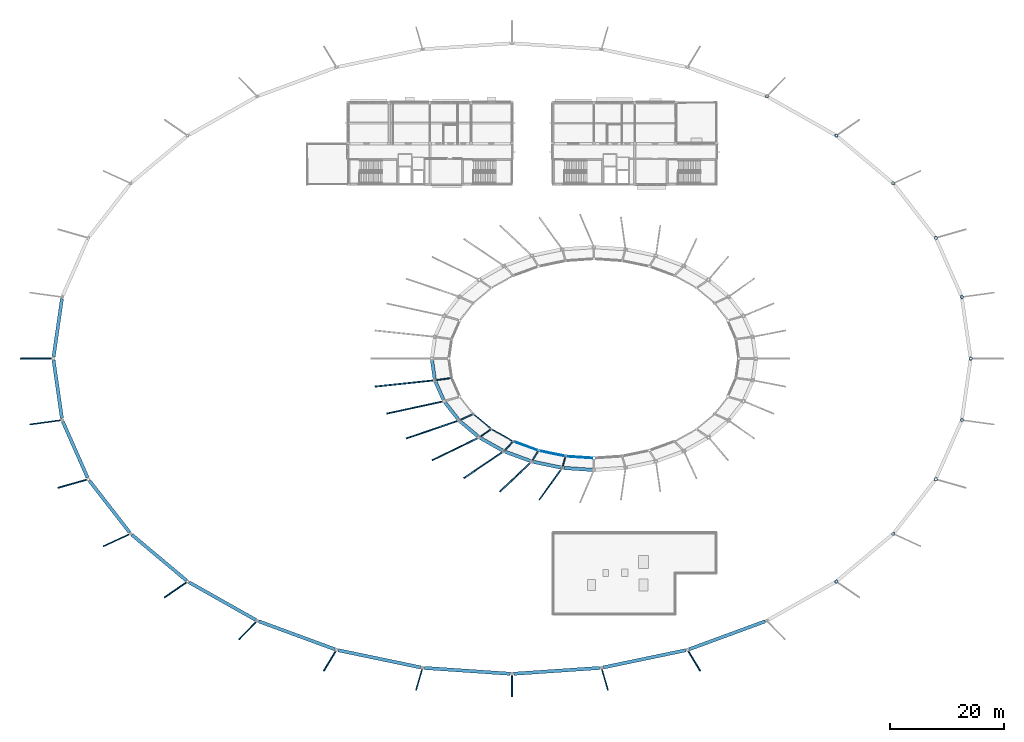
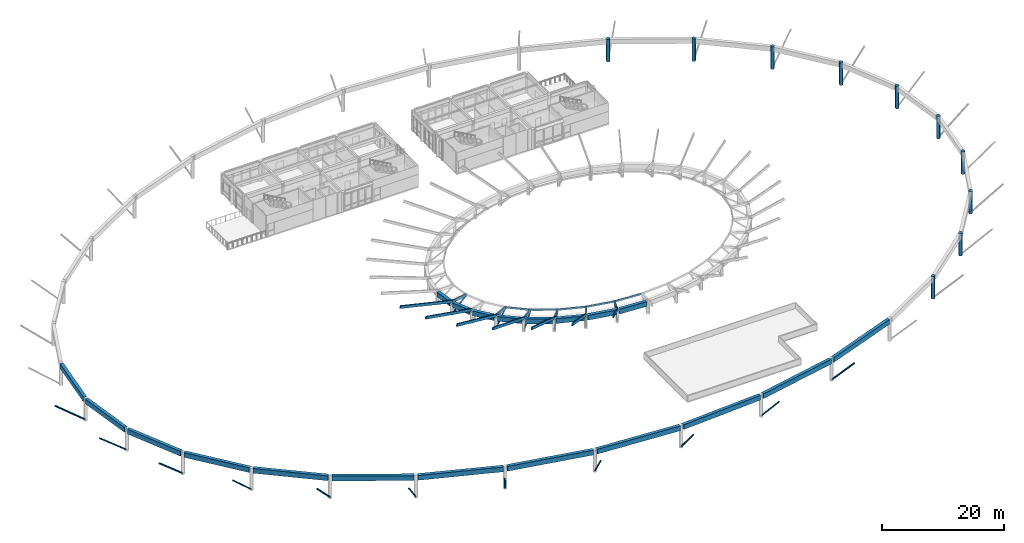
# One storey, part 2 of 37: 35 members, 20 beams, 10 columns.
"""IFC4 building model written with IfcOpenShell, lengths in metres."""

import ifcopenshell
import ifcopenshell.guid

model = None  # the IFC model being written
_history = None  # IfcOwnerHistory: only IFC2X3 demands one
_inside = {}  # id of a spatial element -> (the spatial element, [elements in it])
_under = {}  # id of a project, library or spatial element -> (it, [spatial elements below it])
_declared = {}  # id of a project -> (the project, [libraries it declares])
_typed = {}  # id of a type object -> (the type object, [elements of that type])
_made_of = {}  # id of a material, layer set ... -> (it, [elements and type objects made of it])


def new_model(schema):
    """Start an empty IFC model of exactly this schema.

    Asked for "IFC4X3", IfcOpenShell would pick the latest addendum, in which some entities
    have other attributes; the version numbers below select the first issue.
    IFC2X3 requires an IfcOwnerHistory on every rooted entity: one is made here for all.
    """
    global model, _history
    if schema == "IFC4X3":
        model = ifcopenshell.file(schema_version=(4, 3, 0, 0))
    else:
        model = ifcopenshell.file(schema=schema)
    _inside.clear()
    _under.clear()
    _declared.clear()
    _typed.clear()
    _made_of.clear()
    _history = None
    if model.schema == "IFC2X3":
        org = make("IfcOrganization", Name="unknown")
        user = make(
            "IfcPersonAndOrganization",
            ThePerson=make("IfcPerson", FamilyName="unknown"),
            TheOrganization=org,
        )
        app = make(
            "IfcApplication",
            ApplicationDeveloper=org,
            Version="unknown",
            ApplicationFullName="unknown",
            ApplicationIdentifier="unknown",
        )
        _history = make(
            "IfcOwnerHistory",
            OwningUser=user,
            OwningApplication=app,
            ChangeAction="ADDED",
            CreationDate=0,
        )
    return model


def make(cls, **values):
    """One entity of the class cls with the attributes given. An attribute that is None is left unset."""
    return model.create_entity(
        cls, **{name: value for name, value in values.items() if value is not None}
    )


def rooted(cls, **values):
    """An entity with a GlobalId (a new one), such as an element, a storey or a relation."""
    return make(cls, GlobalId=ifcopenshell.guid.new(), OwnerHistory=_history, **values)


def si_unit(unit_type, name, prefix=None):
    """IfcSIUnit, for example si_unit("LENGTHUNIT", "METRE", prefix="MILLI")."""
    return make("IfcSIUnit", UnitType=unit_type, Prefix=prefix, Name=name)


def assignment(units):
    """IfcUnitAssignment: the units of a project."""
    return None if units is None else make("IfcUnitAssignment", Units=units)


def point(xyz):
    """IfcCartesianPoint."""
    return None if xyz is None else make("IfcCartesianPoint", Coordinates=xyz)


def direction(xyz):
    """IfcDirection."""
    return None if xyz is None else make("IfcDirection", DirectionRatios=xyz)


def frame(location, z_axis=None, x_axis=None):
    """IfcAxis2Placement3D, a coordinate frame: its origin and axes. An axis left out is left unset."""
    return make(
        "IfcAxis2Placement3D",
        Location=point(location),
        Axis=direction(z_axis),
        RefDirection=direction(x_axis),
    )


def frame_2d(location, x_axis=None):
    """IfcAxis2Placement2D, a coordinate frame in the plane: its origin and x axis."""
    return make(
        "IfcAxis2Placement2D", Location=point(location), RefDirection=direction(x_axis)
    )


def origin():
    """The frame at (0, 0, 0) with its axes left unset."""
    return frame((0.0, 0.0, 0.0))


def origin_2d():
    """The frame at (0, 0) in the plane with its x axis left unset."""
    return frame_2d((0.0, 0.0))


def place(relative_to, where):
    """IfcLocalPlacement: puts the frame where relative to a parent placement (None: the world)."""
    return make(
        "IfcLocalPlacement", PlacementRelTo=relative_to, RelativePlacement=where
    )


def context(
    kind, dimensions, precision=None, world=None, true_north=None, identifier=None
):
    """IfcGeometricRepresentationContext, for example the 3D "Model" context."""
    return make(
        "IfcGeometricRepresentationContext",
        ContextIdentifier=identifier,
        ContextType=kind,
        CoordinateSpaceDimension=dimensions,
        Precision=precision,
        WorldCoordinateSystem=world,
        TrueNorth=true_north,
    )


def subcontext(parent, identifier, kind, view, scale=None):
    """IfcGeometricRepresentationSubContext, for example "Body" below "Model"."""
    return make(
        "IfcGeometricRepresentationSubContext",
        ContextIdentifier=identifier,
        ContextType=kind,
        ParentContext=parent,
        TargetScale=scale,
        TargetView=view,
    )


def project(units=None, contexts=None):
    """IfcProject with its units and contexts."""
    return rooted(
        "IfcProject",
        Name="project",
        RepresentationContexts=contexts,
        UnitsInContext=assignment(units),
    )


def spatial(cls, under=None, at=None, **own):
    """A site, building, storey or space (cls), placed at a placement, below another one or the project."""
    s = rooted(cls, ObjectPlacement=at, **own)
    if under is not None:
        _under.setdefault(under.id(), (under, []))[1].append(s)
    return s


def profile(cls, at=None, kind="AREA", **sizes):
    """A parametric profile (cls). Its sizes go by their IFC names, for example OverallWidth=200.0."""
    return make(cls, ProfileType=kind, Position=at, **sizes)


def rectangle(**sizes):
    """IfcRectangleProfileDef."""
    return profile("IfcRectangleProfileDef", **sizes)


def circle(**sizes):
    """IfcCircleProfileDef."""
    return profile("IfcCircleProfileDef", **sizes)


def hollow_circle(**sizes):
    """IfcCircleHollowProfileDef."""
    return profile("IfcCircleHollowProfileDef", **sizes)


def extrude(swept, where, along, depth):
    """IfcExtrudedAreaSolid: the profile swept, set in the frame where, extruded along a direction by depth."""
    return make(
        "IfcExtrudedAreaSolid",
        SweptArea=swept,
        Position=where,
        ExtrudedDirection=direction(along),
        Depth=depth,
    )


def shape(context_of_items, identifier, shape_type, items):
    """IfcShapeRepresentation: the items that make up one representation, for example the "Body"."""
    return make(
        "IfcShapeRepresentation",
        ContextOfItems=context_of_items,
        RepresentationIdentifier=identifier,
        RepresentationType=shape_type,
        Items=items,
    )


def material(Name=None, Category=None):
    """IfcMaterial."""
    return make("IfcMaterial", Name=Name, Category=Category)


def material_profile(
    of_material, cross_section, Name=None, Category=None, Priority=None
):
    """IfcMaterialProfile: a cross section and its material."""
    return make(
        "IfcMaterialProfile",
        Name=Name,
        Material=of_material,
        Profile=cross_section,
        Priority=Priority,
        Category=Category,
    )


def profile_set(profiles, Name=None, composite=None):
    """IfcMaterialProfileSet."""
    return make(
        "IfcMaterialProfileSet",
        Name=Name,
        MaterialProfiles=profiles,
        CompositeProfile=composite,
    )


def made_of(thing, what):
    """Note that an element or type object is made of a material, layer set ...; save() writes the relation."""
    if what is not None:
        _made_of.setdefault(what.id(), (what, []))[1].append(thing)
    return thing


def type_object(cls, material=None, **own):
    """A type object (cls), such as IfcWallType, which elements share."""
    return made_of(rooted(cls, **own), material)


def element(
    cls,
    number,
    at=None,
    inside=None,
    cuts=None,
    type_object=None,
    material=None,
    context=None,
    identifier="Body",
    shape_type=None,
    held_by="IfcProductDefinitionShape",
    body=None,
    shapes=None,
    **own,
):
    """One element of the class cls, such as IfcWall. Its Tag is "e" and its number.

    at: its placement. inside: the storey or other place that contains it. cuts: it is an
    opening in that element (IfcRelVoidsElement). A single representation is given by context,
    identifier, shape_type and body (its items); several are given by shapes. held_by: the class
    of the entity that holds the representations. save() writes the other relations.
    """
    e = rooted(cls, Tag="e%d" % number, ObjectPlacement=at, **own)
    if body is not None:
        shapes = [shape(context, identifier, shape_type, body)]
    if shapes is not None:
        e.Representation = make(held_by, Representations=shapes)
    if inside is not None:
        _inside.setdefault(inside.id(), (inside, []))[1].append(e)
    if cuts is not None:
        rooted(
            "IfcRelVoidsElement", RelatingBuildingElement=cuts, RelatedOpeningElement=e
        )
    if type_object is not None:
        _typed.setdefault(type_object.id(), (type_object, []))[1].append(e)
    return made_of(e, material)


def aggregate(whole, parts):
    """IfcRelAggregates: a whole, such as a stair, and the parts it consists of."""
    return rooted("IfcRelAggregates", RelatingObject=whole, RelatedObjects=parts)


def save(model, path):
    """Write the relations noted so far, then the file.

    IfcRelAggregates (storeys below a building ...), IfcRelContainedInSpatialStructure (elements
    in a storey), IfcRelDefinesByType, IfcRelAssociatesMaterial and IfcRelDeclares: one each for
    every whole, place, type object, material and project.
    """
    for whole, parts in _under.values():
        aggregate(whole, parts)
    for where, things in _inside.values():
        rooted(
            "IfcRelContainedInSpatialStructure",
            RelatedElements=things,
            RelatingStructure=where,
        )
    for kind, things in _typed.values():
        rooted("IfcRelDefinesByType", RelatedObjects=things, RelatingType=kind)
    for what, things in _made_of.values():
        rooted("IfcRelAssociatesMaterial", RelatedObjects=things, RelatingMaterial=what)
    for by, libraries in _declared.values():
        rooted("IfcRelDeclares", RelatingContext=by, RelatedDefinitions=libraries)
    model.write(path)


model = new_model("IFC4")

# Units and contexts
model_context = context("Model", 3, precision=1e-05, world=origin(), true_north=direction((0.0, 1.0)))
body_context = subcontext(model_context, "Body", "Model", "MODEL_VIEW")
ifc_project = project(units=[si_unit("LENGTHUNIT", "METRE"), si_unit("AREAUNIT", "SQUARE_METRE"), si_unit("VOLUMEUNIT", "CUBIC_METRE"), si_unit("PLANEANGLEUNIT", "RADIAN"), si_unit("MASSUNIT", "GRAM", prefix="KILO")], contexts=[model_context])

# Site, building, storey
site_placement = place(None, origin())
site = spatial("IfcSite", under=ifc_project, at=site_placement, CompositionType="ELEMENT")
building_placement = place(site_placement, origin())
building = spatial("IfcBuilding", under=site, at=building_placement, Name="Namkhue Oval Health Centre", CompositionType="ELEMENT")
storey_placement = place(building_placement, frame((0.0, 0.0, 22.199951171875)))
storey = spatial("IfcBuildingStorey", under=building, at=storey_placement, Name="L05", CompositionType="ELEMENT", Elevation=22.199951171875)

# Columns
ifc_material_1 = material(Name="Reinforced concrete C35/45 (TCVN B40)", Category="concrete")
ifc_material_profile_1 = material_profile(ifc_material_1, circle(Radius=0.324951171875, at=origin_2d()), Name="RC D650")
ifc_profile_set_1 = profile_set([ifc_material_profile_1], Name="Reinforced concrete C35/45 (TCVN B40)")
column_type = type_object("IfcColumnType", Name="RC COLUMN D650 EXT", PredefinedType="COLUMN", material=ifc_profile_set_1)
for number, where, z_axis, x_axis, name in (
    (1, (167.0400390625, 59.39990234375, 0.0), (0.0, 0.0, 1.0), (1.0, 0.0, 0.0), "Gridshell OR Colonnade Column 1 L05"),
    (2, (165.490478515625, 70.2158203125, 0.0), (0.0, 0.0, 1.0), (1.0, 0.0, 0.0), "Gridshell OR Colonnade Column 2 L05"),
    (3, (160.901611328125, 80.615966796875, 0.0), (0.0, 0.0, 1.0), (1.0, 0.0, 0.0), "Gridshell OR Colonnade Column 3 L05"),
    (4, (153.44970703125, 90.200927734375, 0.0), (0.0, 0.0, 1.0), (1.0, 0.0, 0.0), "Gridshell OR Colonnade Column 4 L05"),
    (5, (143.421142578125, 98.60205078125, 0.0), (0.0, 0.0, 1.0), (1.0, 0.0, 0.0), "Gridshell OR Colonnade Column 5 L05"),
    (6, (131.201171875, 105.49658203125, 0.0), (0.0, 0.0, 1.0), (1.0, 0.0, 0.0), "Gridshell OR Colonnade Column 6 L05"),
    (7, (143.421142578125, 20.197998046875, 0.0), (0.0, 0.0, 1.0), (1.0, 0.0, 0.0), "Gridshell OR Colonnade Column 29 L05"),
    (8, (153.44970703125, 28.59912109375, 0.0), (0.0, 0.0, 1.0), (1.0, 0.0, 0.0), "Gridshell OR Colonnade Column 30 L05"),
    (9, (160.901611328125, 38.18408203125, 0.0), (0.0, 0.0, 1.0), (1.0, 0.0, 0.0), "Gridshell OR Colonnade Column 31 L05"),
    (10, (165.490478515625, 48.584228515625, 0.0), (0.0, 0.0, 1.0), (1.0, 0.0, 0.0), "Gridshell OR Colonnade Column 32 L05"),
):
    element("IfcColumn", number, at=place(storey_placement, frame(where, z_axis=z_axis, x_axis=x_axis)), inside=storey, type_object=column_type, Name=name, PredefinedType="COLUMN", context=body_context, shape_type="SweptSolid", body=[
        extrude(circle(Radius=0.324951171875, at=origin_2d()), origin(), (0.0, 0.0, 1.0), 4.52001953125),
    ])

# Members
ifc_material_2 = material(Name="Structural steel EN 10025-2 S355JR (TCVN 5575:2024)", Category="steel")
ifc_material_profile_2 = material_profile(ifc_material_2, hollow_circle(Radius=0.136474609375, WallThickness=0.012451171875, at=origin_2d()), Name="CHS 273x12.5")
ifc_profile_set_2 = profile_set([ifc_material_profile_2], Name="Structural steel EN 10025-2 S355JR (TCVN 5575:2024)")
member_type_1 = type_object("IfcMemberType", Name="CANOPY STRUT CHS 273", PredefinedType="STRUT", material=ifc_profile_set_2)
member_1_placement = place(storey_placement, frame((7.294189453125, 48.58203125, 0.11279296875), z_axis=(-0.759254809832, -0.103835341675, 0.642456500914), x_axis=(0.135498290202, -0.990777580162, 0.0)))
element("IfcMember", 11, at=member_1_placement, inside=storey, type_object=member_type_1, Name="Outer Overhang Tree-Branch Canopy Strut 18", PredefinedType="STRUT", context=body_context, shape_type="SweptSolid", body=[
    extrude(hollow_circle(Radius=0.136474609375, WallThickness=0.012451171875, at=origin_2d()), origin(), (0.0, 0.0, 1.0), 7.42041015625),
])
member_2_placement = place(storey_placement, frame((19.3369140625, 28.593017578125, 0.113525390625), z_axis=(-0.67310995721, -0.309199778933, 0.671802413075), x_axis=(0.417425531748, -0.908711134214, 0.0)))
element("IfcMember", 12, at=member_2_placement, inside=storey, type_object=member_type_1, Name="Outer Overhang Tree-Branch Canopy Strut 20", PredefinedType="STRUT", context=body_context, shape_type="SweptSolid", body=[
    extrude(hollow_circle(Radius=0.136474609375, WallThickness=0.012451171875, at=origin_2d()), origin(), (0.0, 0.0, 1.0), 7.09521484375),
])
member_3_placement = place(storey_placement, frame((41.589111328125, 13.29345703125, 0.114501953125), z_axis=(-0.482810025098, -0.496775604336, 0.721185467547), x_axis=(0.717114859739, -0.696955004244, 0.0)))
element("IfcMember", 13, at=member_3_placement, inside=storey, type_object=member_type_1, Name="Outer Overhang Tree-Branch Canopy Strut 22", PredefinedType="STRUT", context=body_context, shape_type="SweptSolid", body=[
    extrude(hollow_circle(Radius=0.136474609375, WallThickness=0.012451171875, at=origin_2d()), origin(), (0.0, 0.0, 1.0), 6.608154296875),
])
for number, where, z_axis, x_axis, name in (
    (14, (70.664306640625, 5.012939453125, 0.115234375), (-0.179481966001, -0.620362906898, 0.763502513175), (0.960604276788, -0.277919814725, 0.0), "Outer Overhang Tree-Branch Canopy Strut 24"),
    (15, (102.1357421875, 5.012939453125, 0.115234375), (0.179481966001, -0.620362906898, 0.763502513175), (0.960604276788, 0.277919814725, 0.0), "Outer Overhang Tree-Branch Canopy Strut 26"),
):
    element("IfcMember", number, at=place(storey_placement, frame(where, z_axis=z_axis, x_axis=x_axis)), inside=storey, type_object=member_type_1, Name=name, PredefinedType="STRUT", context=body_context, shape_type="SweptSolid", body=[
        extrude(hollow_circle(Radius=0.136474609375, WallThickness=0.012451171875, at=origin_2d()), origin(), (0.0, 0.0, 1.0), 6.24072265625),
    ])
member_4_placement = place(storey_placement, frame((72.85107421875, 55.577880859375, 0.113037109375), z_axis=(0.757960970146, 0.103666182662, 0.644009697371), x_axis=(-0.135508280773, 0.990776213805, 0.0)))
element("IfcMember", 16, at=member_4_placement, inside=storey, type_object=member_type_1, Name="Oval Court Oculus Canopy Strut 18", PredefinedType="STRUT", context=body_context, shape_type="SweptSolid", body=[
    extrude(hollow_circle(Radius=0.136474609375, WallThickness=0.012451171875, at=origin_2d()), origin(), (0.0, 0.0, 1.0), 3.892822265625),
])
member_5_placement = place(storey_placement, frame((77.106689453125, 48.515869140625, 0.113525390625), z_axis=(0.671795959556, 0.308647055128, 0.673370020186), x_axis=(-0.417482354006, 0.908685030191, 0.0)))
element("IfcMember", 17, at=member_5_placement, inside=storey, type_object=member_type_1, Name="Oval Court Oculus Canopy Strut 20", PredefinedType="STRUT", context=body_context, shape_type="SweptSolid", body=[
    extrude(hollow_circle(Radius=0.136474609375, WallThickness=0.012451171875, at=origin_2d()), origin(), (0.0, 0.0, 1.0), 3.722412109375),
])
member_6_placement = place(storey_placement, frame((80.65087890625, 45.54736328125, 0.114013671875), z_axis=(0.591133806128, 0.406463876567, 0.696669175649), x_axis=(-0.56658503207, 0.824003277563, 0.0)))
element("IfcMember", 18, at=member_6_placement, inside=storey, type_object=member_type_1, Name="Oval Court Oculus Canopy Strut 21", PredefinedType="STRUT", context=body_context, shape_type="SweptSolid", body=[
    extrude(hollow_circle(Radius=0.136474609375, WallThickness=0.012451171875, at=origin_2d()), origin(), (0.0, 0.0, 1.0), 3.59716796875),
])
member_7_placement = place(storey_placement, frame((84.96923828125, 43.111328125, 0.114501953125), z_axis=(0.481754857031, 0.495696315916, 0.722632285547), x_axis=(-0.717119357891, 0.696950375951, 0.0)))
element("IfcMember", 19, at=member_7_placement, inside=storey, type_object=member_type_1, Name="Oval Court Oculus Canopy Strut 22", PredefinedType="STRUT", context=body_context, shape_type="SweptSolid", body=[
    extrude(hollow_circle(Radius=0.136474609375, WallThickness=0.012451171875, at=origin_2d()), origin(), (0.0, 0.0, 1.0), 3.46728515625),
])
member_8_placement = place(storey_placement, frame((89.895751953125, 41.301513671875, 0.114990234375), z_axis=(0.343057087119, 0.569407784033, 0.747051946293), x_axis=(-0.856554142156, 0.516057168883, 0.0)))
element("IfcMember", 20, at=member_8_placement, inside=storey, type_object=member_type_1, Name="Oval Court Oculus Canopy Strut 23", PredefinedType="STRUT", context=body_context, shape_type="SweptSolid", body=[
    extrude(hollow_circle(Radius=0.136474609375, WallThickness=0.012451171875, at=origin_2d()), origin(), (0.0, 0.0, 1.0), 3.353271484375),
])
member_9_placement = place(storey_placement, frame((95.2412109375, 40.18701171875, 0.115234375), z_axis=(0.178990304287, 0.618824871257, 0.764864857138), x_axis=(-0.960623620306, 0.277852946917, 0.0)))
element("IfcMember", 21, at=member_9_placement, inside=storey, type_object=member_type_1, Name="Oval Court Oculus Canopy Strut 24", PredefinedType="STRUT", context=body_context, shape_type="SweptSolid", body=[
    extrude(hollow_circle(Radius=0.136474609375, WallThickness=0.012451171875, at=origin_2d()), origin(), (0.0, 0.0, 1.0), 3.27490234375),
])
ifc_material_profile_3 = material_profile(ifc_material_2, hollow_circle(Radius=0.161865234375, WallThickness=0.012451171875, at=origin_2d()), Name="CHS 323.9x12.5")
ifc_profile_set_3 = profile_set([ifc_material_profile_3], Name="Structural steel EN 10025-2 S355JR (TCVN 5575:2024)")
member_type_2 = type_object("IfcMemberType", Name="CANOPY STRUT CHS 324", PredefinedType="STRUT", material=ifc_profile_set_3)
member_10_placement = place(storey_placement, frame((5.74462890625, 59.39990234375, 0.11279296875), z_axis=(-0.769527840344, 0.0, 0.63861326555), x_axis=(0.0, -1.0, 0.0)))
element("IfcMember", 22, at=member_10_placement, inside=storey, type_object=member_type_2, Name="Outer Overhang Tree-Branch Canopy Strut 17", PredefinedType="STRUT", context=body_context, shape_type="SweptSolid", body=[
    extrude(hollow_circle(Radius=0.161865234375, WallThickness=0.012451171875, at=origin_2d()), origin(), (0.0, 0.0, 1.0), 7.465087890625),
])
member_11_placement = place(storey_placement, frame((11.8837890625, 38.179931640625, 0.113037109375), z_axis=(-0.727776795173, -0.20724747491, 0.653750273844), x_axis=(0.273879523741, -0.961764007683, 0.0)))
element("IfcMember", 23, at=member_11_placement, inside=storey, type_object=member_type_2, Name="Outer Overhang Tree-Branch Canopy Strut 19", PredefinedType="STRUT", context=body_context, shape_type="SweptSolid", body=[
    extrude(hollow_circle(Radius=0.161865234375, WallThickness=0.012451171875, at=origin_2d()), origin(), (0.0, 0.0, 1.0), 7.2919921875),
])
member_12_placement = place(storey_placement, frame((29.3671875, 20.18994140625, 0.114013671875), z_axis=(-0.59236667403, -0.407232057963, 0.695171758967), x_axis=(0.566509901284, -0.824054932482, 0.0)))
element("IfcMember", 24, at=member_12_placement, inside=storey, type_object=member_type_2, Name="Outer Overhang Tree-Branch Canopy Strut 21", PredefinedType="STRUT", context=body_context, shape_type="SweptSolid", body=[
    extrude(hollow_circle(Radius=0.161865234375, WallThickness=0.012451171875, at=origin_2d()), origin(), (0.0, 0.0, 1.0), 6.85595703125),
])
member_13_placement = place(storey_placement, frame((55.533447265625, 8.168701171875, 0.114990234375), z_axis=(-0.343840690812, -0.570737342227, 0.745675844808), x_axis=(0.85656570451, -0.516037977146, 0.0)))
element("IfcMember", 25, at=member_13_placement, inside=storey, type_object=member_type_2, Name="Outer Overhang Tree-Branch Canopy Strut 23", PredefinedType="STRUT", context=body_context, shape_type="SweptSolid", body=[
    extrude(hollow_circle(Radius=0.161865234375, WallThickness=0.012451171875, at=origin_2d()), origin(), (0.0, 0.0, 1.0), 6.390380859375),
])
member_14_placement = place(storey_placement, frame((86.39990234375, 3.947265625, 0.115478515625), z_axis=(0.0, -0.637961712334, 0.77006808374), x_axis=(1.0, 0.0, 0.0)))
element("IfcMember", 26, at=member_14_placement, inside=storey, type_object=member_type_2, Name="Outer Overhang Tree-Branch Canopy Strut 25", PredefinedType="STRUT", context=body_context, shape_type="SweptSolid", body=[
    extrude(hollow_circle(Radius=0.161865234375, WallThickness=0.012451171875, at=origin_2d()), origin(), (0.0, 0.0, 1.0), 6.187255859375),
])
member_15_placement = place(storey_placement, frame((117.2666015625, 8.168701171875, 0.114990234375), z_axis=(0.343840690812, -0.570737342227, 0.745675844808), x_axis=(0.85656570451, 0.516037977146, 0.0)))
element("IfcMember", 27, at=member_15_placement, inside=storey, type_object=member_type_2, Name="Outer Overhang Tree-Branch Canopy Strut 27", PredefinedType="STRUT", context=body_context, shape_type="SweptSolid", body=[
    extrude(hollow_circle(Radius=0.161865234375, WallThickness=0.012451171875, at=origin_2d()), origin(), (0.0, 0.0, 1.0), 6.390380859375),
])
ifc_material_3 = material(Name="Glulam timber GL28h", Category="wood")
ifc_material_profile_4 = material_profile(ifc_material_3, rectangle(XDim=0.199951171875, YDim=0.47998046875, at=origin_2d()), Name="GL28h 200x480")
ifc_profile_set_4 = profile_set([ifc_material_profile_4], Name="Glulam timber GL28h")
member_type_3 = type_object("IfcMemberType", Name="GRIDSHELL ARCH RIB GL28H 200X480", PredefinedType="USERDEFINED", material=ifc_profile_set_4)
member_16_placement = place(storey_placement, frame((91.236328125, 34.64013671875, 5.800048828125), z_axis=(0.530536635838, 0.733829702716, -0.424293348339), x_axis=(-0.810391616752, 0.585888579423, 0.0)))
element("IfcMember", 28, at=member_16_placement, inside=storey, type_object=member_type_3, Name="Gridshell Glulam Arch Rib K5-24", ObjectType="ARCH_SEGMENT", PredefinedType="USERDEFINED", context=body_context, shape_type="SweptSolid", body=[
    extrude(rectangle(XDim=0.199951171875, YDim=0.47998046875, at=origin_2d()), origin(), (0.0, 0.0, 1.0), 7.541748046875),
])
member_17_placement = place(storey_placement, frame((95.237548828125, 40.174560546875, 2.60009765625), z_axis=(0.277936029842, 0.960414448176, 0.018858712823), x_axis=(-0.960585279948, 0.27798546715, 0.0)))
element("IfcMember", 29, at=member_17_placement, inside=storey, type_object=member_type_3, Name="Gridshell Glulam Arch Rib K6-24", ObjectType="ARCH_SEGMENT", PredefinedType="USERDEFINED", context=body_context, shape_type="SweptSolid", body=[
    extrude(rectangle(XDim=0.199951171875, YDim=0.47998046875, at=origin_2d()), origin(), (0.0, 0.0, 1.0), 2.123046875),
])
ifc_material_profile_5 = material_profile(ifc_material_3, rectangle(XDim=0.219970703125, YDim=0.52001953125, at=origin_2d()), Name="GL28h 220x520")
ifc_profile_set_5 = profile_set([ifc_material_profile_5], Name="Glulam timber GL28h")
member_type_4 = type_object("IfcMemberType", Name="GRIDSHELL ARCH RIB GL28H 220X520", PredefinedType="USERDEFINED", material=ifc_profile_set_5)
member_18_placement = place(storey_placement, frame((62.385498046875, 54.474853515625, 5.800048828125), z_axis=(0.951362805508, 0.100237034291, -0.291309713627), x_axis=(-0.104781535798, 0.994495263818, 0.0)))
element("IfcMember", 30, at=member_18_placement, inside=storey, type_object=member_type_4, Name="Gridshell Glulam Arch Rib K5-18", ObjectType="ARCH_SEGMENT", PredefinedType="USERDEFINED", context=body_context, shape_type="SweptSolid", body=[
    extrude(rectangle(XDim=0.219970703125, YDim=0.52001953125, at=origin_2d()), origin(), (0.0, 0.0, 1.0), 10.984619140625),
])
member_19_placement = place(storey_placement, frame((72.8359375, 55.575927734375, 2.60009765625), z_axis=(0.990692847779, 0.135457756022, 0.013374516549), x_axis=(-0.135469872834, 0.990781466094, 0.0)))
element("IfcMember", 31, at=member_19_placement, inside=storey, type_object=member_type_4, Name="Gridshell Glulam Arch Rib K6-18", ObjectType="ARCH_SEGMENT", PredefinedType="USERDEFINED", context=body_context, shape_type="SweptSolid", body=[
    extrude(rectangle(XDim=0.219970703125, YDim=0.52001953125, at=origin_2d()), origin(), (0.0, 0.0, 1.0), 2.99365234375),
])
member_20_placement = place(storey_placement, frame((64.47509765625, 49.7392578125, 5.800048828125), z_axis=(0.932694872075, 0.201748212162, -0.298961426433), x_axis=(-0.211417342761, 0.97739588048, 0.0)))
element("IfcMember", 32, at=member_20_placement, inside=storey, type_object=member_type_4, Name="Gridshell Glulam Arch Rib K5-19", ObjectType="ARCH_SEGMENT", PredefinedType="USERDEFINED", context=body_context, shape_type="SweptSolid", body=[
    extrude(rectangle(XDim=0.219970703125, YDim=0.52001953125, at=origin_2d()), origin(), (0.0, 0.0, 1.0), 10.70361328125),
])
member_21_placement = place(storey_placement, frame((67.868408203125, 45.37451171875, 5.800048828125), z_axis=(0.899532089659, 0.30573234955, -0.312041263476), x_axis=(-0.321800305376, 0.946807564112, 0.0)))
element("IfcMember", 33, at=member_21_placement, inside=storey, type_object=member_type_4, Name="Gridshell Glulam Arch Rib K5-20", ObjectType="ARCH_SEGMENT", PredefinedType="USERDEFINED", context=body_context, shape_type="SweptSolid", body=[
    extrude(rectangle(XDim=0.219970703125, YDim=0.52001953125, at=origin_2d()), origin(), (0.0, 0.0, 1.0), 10.2548828125),
])
member_22_placement = place(storey_placement, frame((77.093017578125, 48.509765625, 2.60009765625), z_axis=(0.908614289057, 0.417385590982, 0.014468661366), x_axis=(-0.417429286044, 0.908709409632, 0.0)))
element("IfcMember", 34, at=member_22_placement, inside=storey, type_object=member_type_4, Name="Gridshell Glulam Arch Rib K6-20", ObjectType="ARCH_SEGMENT", PredefinedType="USERDEFINED", context=body_context, shape_type="SweptSolid", body=[
    extrude(rectangle(XDim=0.219970703125, YDim=0.52001953125, at=origin_2d()), origin(), (0.0, 0.0, 1.0), 2.767333984375),
])
member_23_placement = place(storey_placement, frame((72.43505859375, 41.549072265625, 5.800048828125), z_axis=(0.848581874446, 0.412737617354, -0.330993144313), x_axis=(-0.437392024112, 0.899270936505, 0.0)))
element("IfcMember", 35, at=member_23_placement, inside=storey, type_object=member_type_4, Name="Gridshell Glulam Arch Rib K5-21", ObjectType="ARCH_SEGMENT", PredefinedType="USERDEFINED", context=body_context, shape_type="SweptSolid", body=[
    extrude(rectangle(XDim=0.219970703125, YDim=0.52001953125, at=origin_2d()), origin(), (0.0, 0.0, 1.0), 9.667724609375),
])
member_24_placement = place(storey_placement, frame((80.638916015625, 45.539306640625, 2.60009765625), z_axis=(0.82397953055, 0.566409493485, 0.015427861972), x_axis=(-0.56647691361, 0.824077609419, 0.0)))
element("IfcMember", 36, at=member_24_placement, inside=storey, type_object=member_type_4, Name="Gridshell Glulam Arch Rib K6-21", ObjectType="ARCH_SEGMENT", PredefinedType="USERDEFINED", context=body_context, shape_type="SweptSolid", body=[
    extrude(rectangle(XDim=0.219970703125, YDim=0.52001953125, at=origin_2d()), origin(), (0.0, 0.0, 1.0), 2.59521484375),
])
member_25_placement = place(storey_placement, frame((77.99951171875, 38.40966796875, 5.800048828125), z_axis=(0.774790910304, 0.522307131831, -0.356222269586), x_axis=(-0.558975207101, 0.829184369031, 0.0)))
element("IfcMember", 37, at=member_25_placement, inside=storey, type_object=member_type_4, Name="Gridshell Glulam Arch Rib K5-22", ObjectType="ARCH_SEGMENT", PredefinedType="USERDEFINED", context=body_context, shape_type="SweptSolid", body=[
    extrude(rectangle(XDim=0.219970703125, YDim=0.52001953125, at=origin_2d()), origin(), (0.0, 0.0, 1.0), 8.98291015625),
])
member_26_placement = place(storey_placement, frame((84.95947265625, 43.1015625, 2.60009765625), z_axis=(0.696912839609, 0.716963514157, 0.016607629424), x_axis=(-0.717062408671, 0.697008968429, 0.0)))
element("IfcMember", 38, at=member_26_placement, inside=storey, type_object=member_type_4, Name="Gridshell Glulam Arch Rib K6-22", ObjectType="ARCH_SEGMENT", PredefinedType="USERDEFINED", context=body_context, shape_type="SweptSolid", body=[
    extrude(rectangle(XDim=0.219970703125, YDim=0.52001953125, at=origin_2d()), origin(), (0.0, 0.0, 1.0), 2.410888671875),
])
member_27_placement = place(storey_placement, frame((84.347900390625, 36.07666015625, 5.800048828125), z_axis=(0.671345561556, 0.631649326818, -0.387703836593), x_axis=(-0.685246575803, 0.728311149407, 0.0)))
element("IfcMember", 39, at=member_27_placement, inside=storey, type_object=member_type_4, Name="Gridshell Glulam Arch Rib K5-23", ObjectType="ARCH_SEGMENT", PredefinedType="USERDEFINED", context=body_context, shape_type="SweptSolid", body=[
    extrude(rectangle(XDim=0.219970703125, YDim=0.52001953125, at=origin_2d()), origin(), (0.0, 0.0, 1.0), 8.253662109375),
])
member_28_placement = place(storey_placement, frame((89.888916015625, 41.2900390625, 2.60009765625), z_axis=(0.515949652384, 0.856432882903, 0.017851422572), x_axis=(-0.856569376667, 0.516031881724, 0.0)))
element("IfcMember", 40, at=member_28_placement, inside=storey, type_object=member_type_4, Name="Gridshell Glulam Arch Rib K6-23", ObjectType="ARCH_SEGMENT", PredefinedType="USERDEFINED", context=body_context, shape_type="SweptSolid", body=[
    extrude(rectangle(XDim=0.219970703125, YDim=0.52001953125, at=origin_2d()), origin(), (0.0, 0.0, 1.0), 2.242919921875),
])
ifc_material_profile_6 = material_profile(ifc_material_3, rectangle(XDim=0.159912109375, YDim=0.320068359375, at=origin_2d()), Name="GL28h 160x320")
ifc_profile_set_6 = profile_set([ifc_material_profile_6], Name="Glulam timber GL28h")
member_type_5 = type_object("IfcMemberType", Name="GRIDSHELL OCULUS PURLIN GL28H 160X320", PredefinedType="PURLIN", material=ifc_profile_set_6)
member_29_placement = place(storey_placement, frame((79.63818359375, 49.63916015625, 2.64013671875), z_axis=(0.766560531818, -0.642172057208, 0.0), x_axis=(0.642172057208, 0.766560531818, 0.0)))
element("IfcMember", 41, at=member_29_placement, inside=storey, type_object=member_type_5, Name="Gridshell Hoop Purlin K7-20", PredefinedType="PURLIN", context=body_context, shape_type="SweptSolid", body=[
    extrude(rectangle(XDim=0.159912109375, YDim=0.320068359375, at=origin_2d()), origin(), (0.0, 0.0, 1.0), 4.054931640625),
])
member_30_placement = place(storey_placement, frame((82.81201171875, 46.98974609375, 2.64013671875), z_axis=(0.870938479787, -0.491392067932, 0.0), x_axis=(0.491392067932, 0.870938479787, 0.0)))
element("IfcMember", 42, at=member_30_placement, inside=storey, type_object=member_type_5, Name="Gridshell Hoop Purlin K7-21", PredefinedType="PURLIN", context=body_context, shape_type="SweptSolid", body=[
    extrude(rectangle(XDim=0.159912109375, YDim=0.320068359375, at=origin_2d()), origin(), (0.0, 0.0, 1.0), 4.354736328125),
])
member_31_placement = place(storey_placement, frame((86.67724609375, 44.81640625, 2.64013671875), z_axis=(0.938620124157, -0.344952551125, 0.0), x_axis=(0.344952551125, 0.938620124157, 0.0)))
element("IfcMember", 43, at=member_31_placement, inside=storey, type_object=member_type_5, Name="Gridshell Hoop Purlin K7-22", PredefinedType="PURLIN", context=body_context, shape_type="SweptSolid", body=[
    extrude(rectangle(XDim=0.159912109375, YDim=0.320068359375, at=origin_2d()), origin(), (0.0, 0.0, 1.0), 4.614501953125),
])
member_32_placement = place(storey_placement, frame((91.085205078125, 43.20263671875, 2.64013671875), z_axis=(0.978943199485, -0.204132829751, 0.0), x_axis=(0.204132829751, 0.978943199485, 0.0)))
element("IfcMember", 44, at=member_32_placement, inside=storey, type_object=member_type_5, Name="Gridshell Hoop Purlin K7-23", PredefinedType="PURLIN", context=body_context, shape_type="SweptSolid", body=[
    extrude(rectangle(XDim=0.159912109375, YDim=0.320068359375, at=origin_2d()), origin(), (0.0, 0.0, 1.0), 4.80419921875),
])
member_33_placement = place(storey_placement, frame((95.867431640625, 42.2109375, 2.64013671875), z_axis=(0.99771522268, -0.067559858143, 0.0), x_axis=(0.067559858143, 0.99771522268, 0.0)))
element("IfcMember", 45, at=member_33_placement, inside=storey, type_object=member_type_5, Name="Gridshell Hoop Purlin K7-24", PredefinedType="PURLIN", context=body_context, shape_type="SweptSolid", body=[
    extrude(rectangle(XDim=0.159912109375, YDim=0.320068359375, at=origin_2d()), origin(), (0.0, 0.0, 1.0), 4.90380859375),
])

# Beams
ifc_material_profile_7 = material_profile(ifc_material_1, rectangle(XDim=0.60009765625, YDim=0.949951171875, at=origin_2d()), Name="RC 600x950")
ifc_profile_set_7 = profile_set([ifc_material_profile_7], Name="Reinforced concrete C35/45 (TCVN B40)")
beam_type = type_object("IfcBeamType", Name="RING GIRDER RC 600X950", PredefinedType="USERDEFINED", material=ifc_profile_set_7)
beam_1_placement = place(storey_placement, frame((7.26611328125, 69.913818359375, 4.025146484375), z_axis=(-0.141805678727, -0.98989451432, 0.0), x_axis=(0.98989451432, -0.141805678727, 0.0)))
element("IfcBeam", 46, at=beam_1_placement, inside=storey, type_object=beam_type, Name="Gridshell OR Concrete Ring Girder 16", ObjectType="GIRDER", PredefinedType="USERDEFINED", context=body_context, shape_type="SweptSolid", body=[
    extrude(rectangle(XDim=0.60009765625, YDim=0.949951171875, at=origin_2d()), origin(), (0.0, 0.0, 1.0), 10.316162109375),
])
beam_2_placement = place(storey_placement, frame((5.80322265625, 59.09814453125, 4.025146484375), z_axis=(0.141802356768, -0.989894990196, 0.0), x_axis=(0.989894990196, 0.141802356768, 0.0)))
element("IfcBeam", 47, at=beam_2_placement, inside=storey, type_object=beam_type, Name="Gridshell OR Concrete Ring Girder 17", ObjectType="GIRDER", PredefinedType="USERDEFINED", context=body_context, shape_type="SweptSolid", body=[
    extrude(rectangle(XDim=0.60009765625, YDim=0.949951171875, at=origin_2d()), origin(), (0.0, 0.0, 1.0), 10.31640625),
])
beam_3_placement = place(storey_placement, frame((7.4326171875, 48.30517578125, 4.025146484375), z_axis=(0.403675407308, -0.914902271029, 0.0), x_axis=(0.914902271029, 0.403675407308, 0.0)))
element("IfcBeam", 48, at=beam_3_placement, inside=storey, type_object=beam_type, Name="Gridshell OR Concrete Ring Girder 18", ObjectType="GIRDER", PredefinedType="USERDEFINED", context=body_context, shape_type="SweptSolid", body=[
    extrude(rectangle(XDim=0.60009765625, YDim=0.949951171875, at=origin_2d()), origin(), (0.0, 0.0, 1.0), 10.757568359375),
])
beam_4_placement = place(storey_placement, frame((12.085693359375, 37.943115234375, 4.025146484375), z_axis=(0.613792552546, -0.789467353625, 0.0), x_axis=(0.789467353625, 0.613792552546, 0.0)))
element("IfcBeam", 49, at=beam_4_placement, inside=storey, type_object=beam_type, Name="Gridshell OR Concrete Ring Girder 19", ObjectType="GIRDER", PredefinedType="USERDEFINED", context=body_context, shape_type="SweptSolid", body=[
    extrude(rectangle(XDim=0.60009765625, YDim=0.949951171875, at=origin_2d()), origin(), (0.0, 0.0, 1.0), 11.530517578125),
])
beam_5_placement = place(storey_placement, frame((19.583984375, 28.4033203125, 4.025146484375), z_axis=(0.766562929372, -0.642169195238, 0.0), x_axis=(0.642169195238, 0.766562929372, 0.0)))
element("IfcBeam", 50, at=beam_5_placement, inside=storey, type_object=beam_type, Name="Gridshell OR Concrete Ring Girder 20", ObjectType="GIRDER", PredefinedType="USERDEFINED", context=body_context, shape_type="SweptSolid", body=[
    extrude(rectangle(XDim=0.60009765625, YDim=0.949951171875, at=origin_2d()), origin(), (0.0, 0.0, 1.0), 12.47265625),
])
beam_6_placement = place(storey_placement, frame((29.64453125, 20.048095703125, 4.025146484375), z_axis=(0.870935948991, -0.491396553462, 0.0), x_axis=(0.491396553462, 0.870935948991, 0.0)))
element("IfcBeam", 51, at=beam_6_placement, inside=storey, type_object=beam_type, Name="Gridshell OR Concrete Ring Girder 21", ObjectType="GIRDER", PredefinedType="USERDEFINED", context=body_context, shape_type="SweptSolid", body=[
    extrude(rectangle(XDim=0.60009765625, YDim=0.949951171875, at=origin_2d()), origin(), (0.0, 0.0, 1.0), 13.4208984375),
])
beam_7_placement = place(storey_placement, frame((41.885009765625, 13.197998046875, 4.025146484375), z_axis=(0.938636014172, -0.344909311124, 0.0), x_axis=(0.344909311124, 0.938636014172, 0.0)))
element("IfcBeam", 52, at=beam_7_placement, inside=storey, type_object=beam_type, Name="Gridshell OR Concrete Ring Girder 22", ObjectType="GIRDER", PredefinedType="USERDEFINED", context=body_context, shape_type="SweptSolid", body=[
    extrude(rectangle(XDim=0.60009765625, YDim=0.949951171875, at=origin_2d()), origin(), (0.0, 0.0, 1.0), 14.2431640625),
])
beam_8_placement = place(storey_placement, frame((55.839111328125, 8.117919921875, 4.025146484375), z_axis=(0.978934964301, -0.204172318568, 0.0), x_axis=(0.204172318568, 0.978934964301, 0.0)))
element("IfcBeam", 53, at=beam_8_placement, inside=storey, type_object=beam_type, Name="Gridshell OR Concrete Ring Girder 23", ObjectType="GIRDER", PredefinedType="USERDEFINED", context=body_context, shape_type="SweptSolid", body=[
    extrude(rectangle(XDim=0.60009765625, YDim=0.949951171875, at=origin_2d()), origin(), (0.0, 0.0, 1.0), 14.843017578125),
])
for number, where, z_axis, x_axis, name in (
    (54, (70.97216796875, 5.004638671875, 4.025146484375), (0.99771592483, -0.067549488082, 0.0), (0.067549488082, 0.99771592483, 0.0), "Gridshell OR Concrete Ring Girder 24"),
    (55, (86.704345703125, 3.980712890625, 4.025146484375), (0.99771592483, 0.067549488082, 0.0), (-0.067549488082, 0.99771592483, 0.0), "Gridshell OR Concrete Ring Girder 25"),
):
    element("IfcBeam", number, at=place(storey_placement, frame(where, z_axis=z_axis, x_axis=x_axis)), inside=storey, type_object=beam_type, Name=name, ObjectType="GIRDER", PredefinedType="USERDEFINED", context=body_context, shape_type="SweptSolid", body=[
        extrude(rectangle(XDim=0.60009765625, YDim=0.949951171875, at=origin_2d()), origin(), (0.0, 0.0, 1.0), 15.158203125),
    ])
beam_9_placement = place(storey_placement, frame((102.4306640625, 5.08740234375, 4.025146484375), z_axis=(0.978934964301, 0.204172318568, 0.0), x_axis=(-0.204172318568, 0.978934964301, 0.0)))
element("IfcBeam", 56, at=beam_9_placement, inside=storey, type_object=beam_type, Name="Gridshell OR Concrete Ring Girder 26", ObjectType="GIRDER", PredefinedType="USERDEFINED", context=body_context, shape_type="SweptSolid", body=[
    extrude(rectangle(XDim=0.60009765625, YDim=0.949951171875, at=origin_2d()), origin(), (0.0, 0.0, 1.0), 14.843017578125),
])
beam_10_placement = place(storey_placement, frame((117.5458984375, 8.285400390625, 4.025146484375), z_axis=(0.938633974998, 0.344914860478, 0.0), x_axis=(-0.344914860478, 0.938633974998, 0.0)))
element("IfcBeam", 57, at=beam_10_placement, inside=storey, type_object=beam_type, Name="Gridshell OR Concrete Ring Girder 27", ObjectType="GIRDER", PredefinedType="USERDEFINED", context=body_context, shape_type="SweptSolid", body=[
    extrude(rectangle(XDim=0.60009765625, YDim=0.949951171875, at=origin_2d()), origin(), (0.0, 0.0, 1.0), 14.242919921875),
])
beam_11_placement = place(storey_placement, frame((72.32763671875, 59.122802734375, 2.125), z_axis=(0.141835245583, -0.989890278319, 0.0), x_axis=(0.989890278319, 0.141835245583, 0.0)))
element("IfcBeam", 58, at=beam_11_placement, inside=storey, type_object=beam_type, Name="Gridshell IR Concrete Ring Girder 17", ObjectType="GIRDER", PredefinedType="USERDEFINED", context=body_context, shape_type="SweptSolid", body=[
    extrude(rectangle(XDim=0.60009765625, YDim=0.949951171875, at=origin_2d()), origin(), (0.0, 0.0, 1.0), 3.30322265625),
])
beam_12_placement = place(storey_placement, frame((72.948974609375, 55.319580078125, 2.125), z_axis=(0.403641944222, -0.914917034963, 0.0), x_axis=(0.914917034963, 0.403641944222, 0.0)))
element("IfcBeam", 59, at=beam_12_placement, inside=storey, type_object=beam_type, Name="Gridshell IR Concrete Ring Girder 18", ObjectType="GIRDER", PredefinedType="USERDEFINED", context=body_context, shape_type="SweptSolid", body=[
    extrude(rectangle(XDim=0.60009765625, YDim=0.949951171875, at=origin_2d()), origin(), (0.0, 0.0, 1.0), 3.458984375),
])
beam_13_placement = place(storey_placement, frame((74.630126953125, 51.677490234375, 2.125), z_axis=(0.613827405967, -0.789440254664, 0.0), x_axis=(0.789440254664, 0.613827405967, 0.0)))
element("IfcBeam", 60, at=beam_13_placement, inside=storey, type_object=beam_type, Name="Gridshell IR Concrete Ring Girder 19", ObjectType="GIRDER", PredefinedType="USERDEFINED", context=body_context, shape_type="SweptSolid", body=[
    extrude(rectangle(XDim=0.60009765625, YDim=0.949951171875, at=origin_2d()), origin(), (0.0, 0.0, 1.0), 3.732666015625),
])
beam_14_placement = place(storey_placement, frame((77.307861328125, 48.329833984375, 2.125), z_axis=(0.766550041917, -0.642184578791, 0.0), x_axis=(0.642184578791, 0.766550041917, 0.0)))
element("IfcBeam", 61, at=beam_14_placement, inside=storey, type_object=beam_type, Name="Gridshell IR Concrete Ring Girder 20", ObjectType="GIRDER", PredefinedType="USERDEFINED", context=body_context, shape_type="SweptSolid", body=[
    extrude(rectangle(XDim=0.60009765625, YDim=0.949951171875, at=origin_2d()), origin(), (0.0, 0.0, 1.0), 4.065673828125),
])
beam_15_placement = place(storey_placement, frame((80.8828125, 45.401611328125, 2.125), z_axis=(0.870940726299, -0.491388086214, 0.0), x_axis=(0.491388086214, 0.870940726299, 0.0)))
element("IfcBeam", 62, at=beam_15_placement, inside=storey, type_object=beam_type, Name="Gridshell IR Concrete Ring Girder 21", ObjectType="GIRDER", PredefinedType="USERDEFINED", context=body_context, shape_type="SweptSolid", body=[
    extrude(rectangle(XDim=0.60009765625, YDim=0.949951171875, at=origin_2d()), origin(), (0.0, 0.0, 1.0), 4.40087890625),
])
beam_16_placement = place(storey_placement, frame((85.222412109375, 43.0048828125, 2.125), z_axis=(0.938639507734, -0.344899803596, 0.0), x_axis=(0.344899803596, 0.938639507734, 0.0)))
element("IfcBeam", 63, at=beam_16_placement, inside=storey, type_object=beam_type, Name="Gridshell IR Concrete Ring Girder 22", ObjectType="GIRDER", PredefinedType="USERDEFINED", context=body_context, shape_type="SweptSolid", body=[
    extrude(rectangle(XDim=0.60009765625, YDim=0.949951171875, at=origin_2d()), origin(), (0.0, 0.0, 1.0), 4.691650390625),
])
beam_17_placement = place(storey_placement, frame((90.1630859375, 41.23291015625, 2.125), z_axis=(0.978933173526, -0.204180904518, 0.0), x_axis=(0.204180904518, 0.978933173526, 0.0)))
element("IfcBeam", 64, at=beam_17_placement, inside=storey, type_object=beam_type, Name="Gridshell IR Concrete Ring Girder 23", ObjectType="GIRDER", PredefinedType="USERDEFINED", context=body_context, shape_type="SweptSolid", body=[
    extrude(rectangle(XDim=0.60009765625, YDim=0.949951171875, at=origin_2d()), origin(), (0.0, 0.0, 1.0), 4.903564453125),
])
beam_18_placement = place(storey_placement, frame((95.516845703125, 40.15576171875, 2.125), z_axis=(0.997714599605, -0.067569059002, 0.0), x_axis=(0.067569059002, 0.997714599605, 0.0)))
element("IfcBeam", 65, at=beam_18_placement, inside=storey, type_object=beam_type, Name="Gridshell IR Concrete Ring Girder 24", ObjectType="GIRDER", PredefinedType="USERDEFINED", context=body_context, shape_type="SweptSolid", body=[
    extrude(rectangle(XDim=0.60009765625, YDim=0.949951171875, at=origin_2d()), origin(), (0.0, 0.0, 1.0), 5.01513671875),
])

save(model, "model.ifc")
